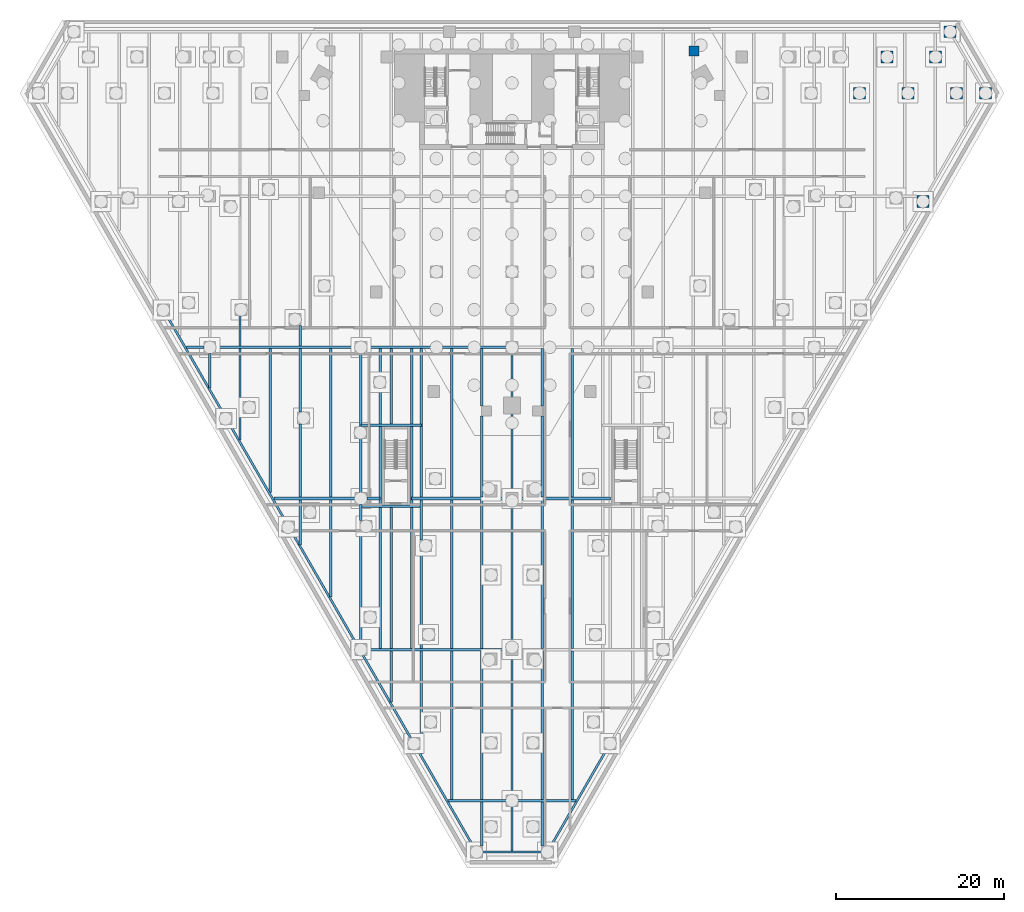
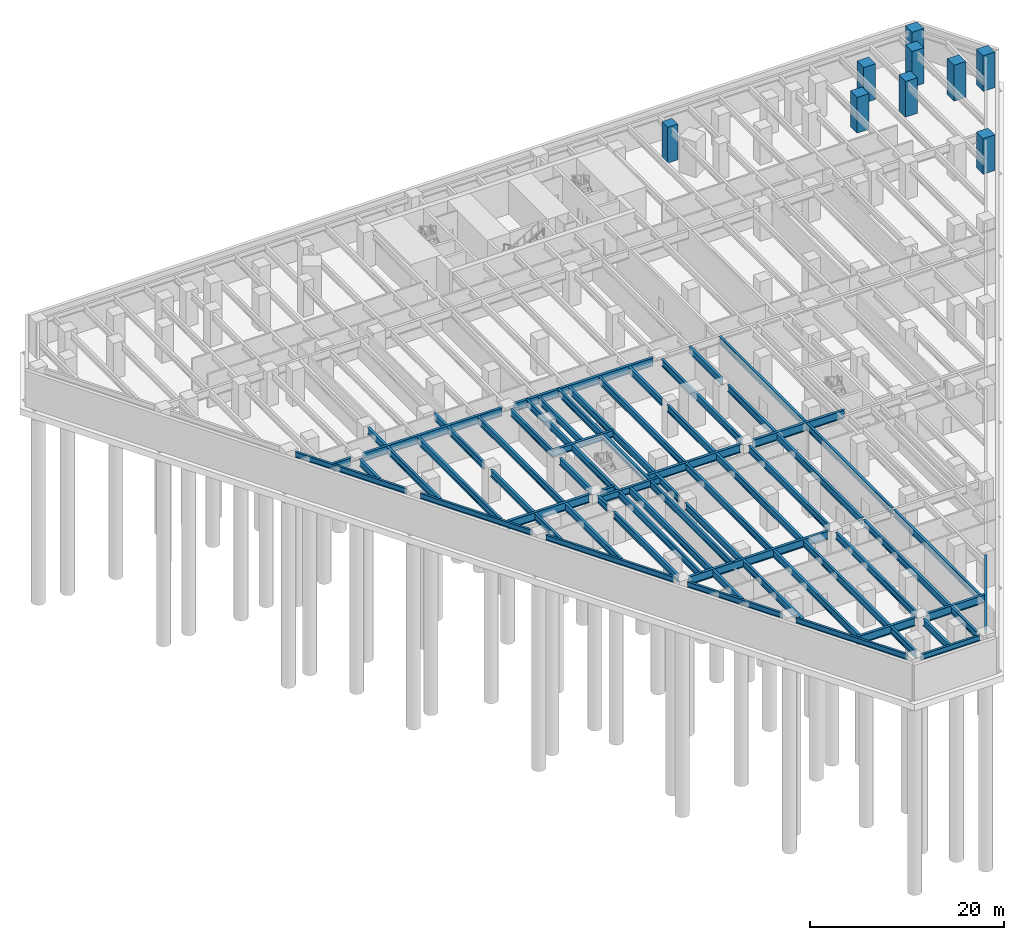
# One storey, part 3 of 18: 62 beams, 9 columns.
"""IFC4 building model written with IfcOpenShell, lengths in metres."""

from ifc_helpers import new_model, si_unit, direction, frame, origin, origin_2d, place, context, subcontext, project, spatial, rectangle, i_section, extrude, material, material_profile, profile_set, type_object, element, save


model = new_model("IFC4")

# Units and contexts
model_context = context("Model", 3, precision=1e-05, world=origin(), true_north=direction((0.0, 1.0)))
body_context = subcontext(model_context, "Body", "Model", "MODEL_VIEW")
ifc_project = project(units=[si_unit("LENGTHUNIT", "METRE"), si_unit("AREAUNIT", "SQUARE_METRE"), si_unit("VOLUMEUNIT", "CUBIC_METRE"), si_unit("PLANEANGLEUNIT", "RADIAN"), si_unit("MASSUNIT", "GRAM", prefix="KILO")], contexts=[model_context])

# Site, building, storey
site_placement = place(None, origin())
site = spatial("IfcSite", under=ifc_project, at=site_placement, CompositionType="ELEMENT")
building_placement = place(site_placement, origin())
building = spatial("IfcBuilding", under=site, at=building_placement, Name="Aloe Facet Convention Tower", CompositionType="ELEMENT")
storey_placement = place(building_placement, frame((0.0, 0.0, -9.0)))
storey = spatial("IfcBuildingStorey", under=building, at=storey_placement, Name="B2", CompositionType="ELEMENT", Elevation=-9.0)

# Columns
ifc_material_1 = material(Name="Concrete C60/75", Category="concrete")
ifc_material_profile_1 = material_profile(ifc_material_1, rectangle(XDim=1.39990234375, YDim=1.39990234375, at=origin_2d()), Name="SF-PC-1400")
ifc_profile_set_1 = profile_set([ifc_material_profile_1], Name="Concrete C60/75")
column_type_1 = type_object("IfcColumnType", Name="SF-PC-1400", PredefinedType="COLUMN", material=ifc_profile_set_1)
for number, where, z_axis, x_axis, name in (
    (1, (121.404052734375, 129.283935546875, 0.0), (0.0, 0.0, 1.0), (1.0, 0.0, 0.0), "Podium column PE-121-129"),
    (2, (124.68603515625, 133.60009765625, 0.0), (0.0, 0.0, 1.0), (1.0, 0.0, 0.0), "Podium column PE-125-134"),
    (3, (127.177001953125, 129.283935546875, 0.0), (0.0, 0.0, 1.0), (1.0, 0.0, 0.0), "Podium column PE-127-129"),
    (4, (128.958984375, 116.3701171875, 0.0), (0.0, 0.0, 1.0), (1.0, 0.0, 0.0), "Podium column PE-129-116"),
    (5, (130.458984375, 133.60009765625, 0.0), (0.0, 0.0, 1.0), (1.0, 0.0, 0.0), "Podium column PE-130-134"),
    (6, (132.19091796875, 136.60009765625, 0.0), (0.0, 0.0, 1.0), (1.0, 0.0, 0.0), "Podium column PE-132-137"),
    (7, (132.950927734375, 129.283935546875, 0.0), (0.0, 0.0, 1.0), (1.0, 0.0, 0.0), "Podium column PE-133-129"),
    (8, (136.4150390625, 129.283935546875, 0.0), (0.0, 0.0, 1.0), (1.0, 0.0, 0.0), "Podium column PE-136-129"),
):
    element("IfcColumn", number, at=place(storey_placement, frame(where, z_axis=z_axis, x_axis=x_axis)), inside=storey, type_object=column_type_1, Name=name, PredefinedType="COLUMN", context=body_context, shape_type="SweptSolid", body=[
        extrude(rectangle(XDim=1.39990234375, YDim=1.39990234375, at=origin_2d()), origin(), (0.0, 0.0, 1.0), 4.5),
    ])
ifc_material_2 = material(Name="Concrete C60/75", Category="concrete")
ifc_material_profile_2 = material_profile(ifc_material_2, rectangle(XDim=1.199951171875, YDim=1.199951171875, at=origin_2d()), Name="SF-PR-1200")
ifc_profile_set_2 = profile_set([ifc_material_profile_2], Name="Concrete C60/75")
column_type_2 = type_object("IfcColumnType", Name="SF-PR-1200", PredefinedType="COLUMN", material=ifc_profile_set_2)
column_placement = place(storey_placement, frame((101.699951171875, 134.300048828125, 0.0), z_axis=(0.0, 0.0, 1.0), x_axis=(1.0, 0.0, 0.0)))
element("IfcColumn", 9, at=column_placement, inside=storey, type_object=column_type_2, Name="Podium column PR-05-102-134", PredefinedType="COLUMN", context=body_context, shape_type="SweptSolid", body=[
    extrude(rectangle(XDim=1.199951171875, YDim=1.199951171875, at=origin_2d()), origin(), (0.0, 0.0, 1.0), 4.5),
])

# Beams
ifc_material_3 = material(Name="Steel S355", Category="steel")
ifc_material_profile_3 = material_profile(ifc_material_3, i_section(OverallWidth=0.305419921875, OverallDepth=1.02587890625, WebThickness=0.02001953125, FlangeThickness=0.031005859375, FilletRadius=0.030029296875, at=origin_2d()), Name="UB 1016x305x349")
ifc_profile_set_3 = profile_set([ifc_material_profile_3], Name="Steel S355")
beam_type_1 = type_object("IfcBeamType", Name="SF-B-UB1016x305x349", PredefinedType="BEAM", material=ifc_profile_set_3)
beam_1_placement = place(storey_placement, frame((41.2265625, 99.0, 3.737060546875), z_axis=(1.0, 0.0, 0.0), x_axis=(0.0, 1.0, 0.0)))
element("IfcBeam", 10, at=beam_1_placement, inside=storey, type_object=beam_type_1, Name="Floor beam FB-B1-024", PredefinedType="BEAM", context=body_context, shape_type="SweptSolid", body=[
    extrude(i_section(OverallWidth=0.305419921875, OverallDepth=1.02587890625, WebThickness=0.02001953125, FlangeThickness=0.031005859375, FilletRadius=0.030029296875, at=origin_2d()), origin(), (0.0, 0.0, 1.0), 2.073486328125),
])
beam_2_placement = place(storey_placement, frame((44.699951171875, 99.0, 3.737060546875), z_axis=(1.0, 0.0, 0.0), x_axis=(0.0, 1.0, 0.0)))
element("IfcBeam", 11, at=beam_2_placement, inside=storey, type_object=beam_type_1, Name="Floor beam FB-B1-025", PredefinedType="BEAM", context=body_context, shape_type="SweptSolid", body=[
    extrude(i_section(OverallWidth=0.305419921875, OverallDepth=1.02587890625, WebThickness=0.02001953125, FlangeThickness=0.031005859375, FilletRadius=0.030029296875, at=origin_2d()), origin(), (0.0, 0.0, 1.0), 16.60009765625),
])
beam_3_placement = place(storey_placement, frame((51.618896484375, 81.0, 3.737060546875), z_axis=(1.0, 0.0, 0.0), x_axis=(0.0, 1.0, 0.0)))
element("IfcBeam", 12, at=beam_3_placement, inside=storey, type_object=beam_type_1, Name="Floor beam FB-B1-027", PredefinedType="BEAM", context=body_context, shape_type="SweptSolid", body=[
    extrude(i_section(OverallWidth=0.305419921875, OverallDepth=1.02587890625, WebThickness=0.02001953125, FlangeThickness=0.031005859375, FilletRadius=0.030029296875, at=origin_2d()), origin(), (0.0, 0.0, 1.0), 9.68115234375),
])
beam_4_placement = place(storey_placement, frame((62.699951171875, 63.0, 3.737060546875), z_axis=(1.0, 0.0, 0.0), x_axis=(0.0, 1.0, 0.0)))
element("IfcBeam", 13, at=beam_4_placement, inside=storey, type_object=beam_type_1, Name="Floor beam FB-B1-029", PredefinedType="BEAM", context=body_context, shape_type="SweptSolid", body=[
    extrude(i_section(OverallWidth=0.305419921875, OverallDepth=1.02587890625, WebThickness=0.02001953125, FlangeThickness=0.031005859375, FilletRadius=0.030029296875, at=origin_2d()), origin(), (0.0, 0.0, 1.0), 16.60009765625),
])
beam_5_placement = place(storey_placement, frame((62.699951171875, 81.0, 3.737060546875), z_axis=(1.0, 0.0, 0.0), x_axis=(0.0, 1.0, 0.0)))
element("IfcBeam", 14, at=beam_5_placement, inside=storey, type_object=beam_type_1, Name="Floor beam FB-B1-030", PredefinedType="BEAM", context=body_context, shape_type="SweptSolid", body=[
    extrude(i_section(OverallWidth=0.305419921875, OverallDepth=1.02587890625, WebThickness=0.02001953125, FlangeThickness=0.031005859375, FilletRadius=0.030029296875, at=origin_2d()), origin(), (0.0, 0.0, 1.0), 1.60009765625),
])
beam_6_placement = place(storey_placement, frame((62.699951171875, 99.0, 3.737060546875), z_axis=(1.0, 0.0, 0.0), x_axis=(0.0, 1.0, 0.0)))
element("IfcBeam", 15, at=beam_6_placement, inside=storey, type_object=beam_type_1, Name="Floor beam FB-B1-031", PredefinedType="BEAM", context=body_context, shape_type="SweptSolid", body=[
    extrude(i_section(OverallWidth=0.305419921875, OverallDepth=1.02587890625, WebThickness=0.02001953125, FlangeThickness=0.031005859375, FilletRadius=0.030029296875, at=origin_2d()), origin(), (0.0, 0.0, 1.0), 16.60009765625),
])
beam_7_placement = place(storey_placement, frame((68.050048828125, 81.0, 3.737060546875), z_axis=(1.0, 0.0, 0.0), x_axis=(0.0, 1.0, 0.0)))
element("IfcBeam", 16, at=beam_7_placement, inside=storey, type_object=beam_type_1, Name="Floor beam FB-B1-032", PredefinedType="BEAM", context=body_context, shape_type="SweptSolid", body=[
    extrude(i_section(OverallWidth=0.305419921875, OverallDepth=1.02587890625, WebThickness=0.02001953125, FlangeThickness=0.031005859375, FilletRadius=0.030029296875, at=origin_2d()), origin(), (0.0, 0.0, 1.0), 11.25),
])
for number, where, z_axis, x_axis, name in (
    (17, (72.4033203125, 45.0, 3.737060546875), (1.0, 0.0, 0.0), (0.0, 1.0, 0.0), "Floor beam FB-B1-033"),
    (18, (80.699951171875, 45.0, 3.737060546875), (1.0, 0.0, 0.0), (0.0, 1.0, 0.0), "Floor beam FB-B1-034"),
):
    element("IfcBeam", number, at=place(storey_placement, frame(where, z_axis=z_axis, x_axis=x_axis)), inside=storey, type_object=beam_type_1, Name=name, PredefinedType="BEAM", context=body_context, shape_type="SweptSolid", body=[
        extrude(i_section(OverallWidth=0.305419921875, OverallDepth=1.02587890625, WebThickness=0.02001953125, FlangeThickness=0.031005859375, FilletRadius=0.030029296875, at=origin_2d()), origin(), (0.0, 0.0, 1.0), 6.896728515625),
    ])
beam_8_placement = place(storey_placement, frame((80.699951171875, 81.0, 3.737060546875), z_axis=(1.0, 0.0, 0.0), x_axis=(0.0, 1.0, 0.0)))
element("IfcBeam", 19, at=beam_8_placement, inside=storey, type_object=beam_type_1, Name="Floor beam FB-B1-036", PredefinedType="BEAM", context=body_context, shape_type="SweptSolid", body=[
    extrude(i_section(OverallWidth=0.305419921875, OverallDepth=1.02587890625, WebThickness=0.02001953125, FlangeThickness=0.031005859375, FilletRadius=0.030029296875, at=origin_2d()), origin(), (0.0, 0.0, 1.0), 11.025146484375),
])
ifc_material_4 = material(Name="Steel S355", Category="steel")
ifc_material_profile_4 = material_profile(ifc_material_4, i_section(OverallWidth=0.25439453125, OverallDepth=0.6875, WebThickness=0.01318359375, FlangeThickness=0.02099609375, FilletRadius=0.01513671875, at=origin_2d()), Name="UB 686x254x152")
ifc_profile_set_4 = profile_set([ifc_material_profile_4], Name="Steel S355")
beam_type_2 = type_object("IfcBeamType", Name="SF-B-UB686x254x152", PredefinedType="BEAM", material=ifc_profile_set_4)
for number, where, z_axis, x_axis, name in (
    (20, (45.548583984375, 91.241943359375, 3.90625), (-0.500000090957, 0.86602535127, 0.0), (-0.86602535127, -0.500000090957, 0.0), "Floor beam FB-B1-005"),
    (21, (53.004638671875, 78.327880859375, 3.90625), (-0.500000090957, 0.86602535127, 0.0), (-0.86602535127, -0.500000090957, 0.0), "Floor beam FB-B1-006"),
):
    element("IfcBeam", number, at=place(storey_placement, frame(where, z_axis=z_axis, x_axis=x_axis)), inside=storey, type_object=beam_type_2, Name=name, PredefinedType="BEAM", context=body_context, shape_type="SweptSolid", body=[
        extrude(i_section(OverallWidth=0.25439453125, OverallDepth=0.6875, WebThickness=0.01318359375, FlangeThickness=0.02099609375, FilletRadius=0.01513671875, at=origin_2d()), origin(), (0.0, 0.0, 1.0), 13.29541015625),
    ])
beam_9_placement = place(storey_placement, frame((61.449951171875, 63.699951171875, 3.90625), z_axis=(-0.499988104614, 0.86603227148, 0.0), x_axis=(-0.86603227148, -0.499988104614, 0.0)))
element("IfcBeam", 22, at=beam_9_placement, inside=storey, type_object=beam_type_2, Name="Floor beam FB-B1-007", PredefinedType="BEAM", context=body_context, shape_type="SweptSolid", body=[
    extrude(i_section(OverallWidth=0.25439453125, OverallDepth=0.6875, WebThickness=0.01318359375, FlangeThickness=0.02099609375, FilletRadius=0.01513671875, at=origin_2d()), origin(), (0.0, 0.0, 1.0), 15.274169921875),
])
beam_10_placement = place(storey_placement, frame((67.91650390625, 52.5, 3.90625), z_axis=(-0.500009430881, 0.866019958794, 0.0), x_axis=(-0.866019958794, -0.500009430881, 0.0)))
element("IfcBeam", 23, at=beam_10_placement, inside=storey, type_object=beam_type_2, Name="Floor beam FB-B1-008", PredefinedType="BEAM", context=body_context, shape_type="SweptSolid", body=[
    extrude(i_section(OverallWidth=0.25439453125, OverallDepth=0.6875, WebThickness=0.01318359375, FlangeThickness=0.02099609375, FilletRadius=0.01513671875, at=origin_2d()), origin(), (0.0, 0.0, 1.0), 11.316162109375),
])
beam_11_placement = place(storey_placement, frame((75.372314453125, 39.5859375, 3.90625), z_axis=(-0.500000090957, 0.86602535127, 0.0), x_axis=(-0.86602535127, -0.500000090957, 0.0)))
element("IfcBeam", 24, at=beam_11_placement, inside=storey, type_object=beam_type_2, Name="Floor beam FB-B1-010", PredefinedType="BEAM", context=body_context, shape_type="SweptSolid", body=[
    extrude(i_section(OverallWidth=0.25439453125, OverallDepth=0.6875, WebThickness=0.01318359375, FlangeThickness=0.02099609375, FilletRadius=0.01513671875, at=origin_2d()), origin(), (0.0, 0.0, 1.0), 13.29541015625),
])
beam_12_placement = place(storey_placement, frame((83.52392578125, 38.88623046875, 3.90625), z_axis=(-1.0, 0.0, 0.0), x_axis=(0.0, -1.0, 0.0)))
element("IfcBeam", 25, at=beam_12_placement, inside=storey, type_object=beam_type_2, Name="Floor beam FB-B1-011", PredefinedType="BEAM", context=body_context, shape_type="SweptSolid", body=[
    extrude(i_section(OverallWidth=0.25439453125, OverallDepth=0.6875, WebThickness=0.01318359375, FlangeThickness=0.02099609375, FilletRadius=0.01513671875, at=origin_2d()), origin(), (0.0, 0.0, 1.0), 7.0478515625),
])
beam_13_placement = place(storey_placement, frame((91.275390625, 51.10009765625, 3.90625), z_axis=(-0.500000090957, -0.86602535127, 0.0), x_axis=(0.86602535127, -0.500000090957, 0.0)))
element("IfcBeam", 26, at=beam_13_placement, inside=storey, type_object=beam_type_2, Name="Floor beam FB-B1-013", PredefinedType="BEAM", context=body_context, shape_type="SweptSolid", body=[
    extrude(i_section(OverallWidth=0.25439453125, OverallDepth=0.6875, WebThickness=0.01318359375, FlangeThickness=0.02099609375, FilletRadius=0.01513671875, at=origin_2d()), origin(), (0.0, 0.0, 1.0), 13.29541015625),
])
ifc_material_5 = material(Name="Steel S355", Category="steel")
ifc_material_profile_5 = material_profile(ifc_material_5, i_section(OverallWidth=0.293701171875, OverallDepth=0.850830078125, WebThickness=0.01611328125, FlangeThickness=0.02685546875, FilletRadius=0.017822265625, at=origin_2d()), Name="UB 838x292x226")
ifc_profile_set_5 = profile_set([ifc_material_profile_5], Name="Steel S355")
beam_type_3 = type_object("IfcBeamType", Name="SF-B-UB838x292x226", PredefinedType="BEAM", material=ifc_profile_set_5)
beam_14_placement = place(storey_placement, frame((44.0, 94.18896484375, 3.82470703125), z_axis=(0.0, 1.0, 0.0), x_axis=(-1.0, 0.0, 0.0)))
element("IfcBeam", 27, at=beam_14_placement, inside=storey, type_object=beam_type_3, Name="Floor beam FB-B1-058", PredefinedType="BEAM", context=body_context, shape_type="SweptSolid", body=[
    extrude(i_section(OverallWidth=0.293701171875, OverallDepth=0.850830078125, WebThickness=0.01611328125, FlangeThickness=0.02685546875, FilletRadius=0.017822265625, at=origin_2d()), origin(), (0.0, 0.0, 1.0), 4.111083984375),
])
beam_15_placement = place(storey_placement, frame((47.60009765625, 87.95361328125, 3.82470703125), z_axis=(0.0, 1.0, 0.0), x_axis=(-1.0, 0.0, 0.0)))
element("IfcBeam", 28, at=beam_15_placement, inside=storey, type_object=beam_type_3, Name="Floor beam FB-B1-063", PredefinedType="BEAM", context=body_context, shape_type="SweptSolid", body=[
    extrude(i_section(OverallWidth=0.293701171875, OverallDepth=0.850830078125, WebThickness=0.01611328125, FlangeThickness=0.02685546875, FilletRadius=0.017822265625, at=origin_2d()), origin(), (0.0, 0.0, 1.0), 10.893798828125),
])
beam_16_placement = place(storey_placement, frame((47.60009765625, 99.152587890625, 3.82470703125), z_axis=(0.0, 1.0, 0.0), x_axis=(-1.0, 0.0, 0.0)))
element("IfcBeam", 29, at=beam_16_placement, inside=storey, type_object=beam_type_3, Name="Floor beam FB-B1-064", PredefinedType="BEAM", context=body_context, shape_type="SweptSolid", body=[
    extrude(i_section(OverallWidth=0.293701171875, OverallDepth=0.850830078125, WebThickness=0.01611328125, FlangeThickness=0.02685546875, FilletRadius=0.017822265625, at=origin_2d()), origin(), (0.0, 0.0, 1.0), 3.63232421875),
])
beam_17_placement = place(storey_placement, frame((51.199951171875, 81.718017578125, 3.82470703125), z_axis=(0.0, 1.0, 0.0), x_axis=(-1.0, 0.0, 0.0)))
element("IfcBeam", 30, at=beam_17_placement, inside=storey, type_object=beam_type_3, Name="Floor beam FB-B1-067", PredefinedType="BEAM", context=body_context, shape_type="SweptSolid", body=[
    extrude(i_section(OverallWidth=0.293701171875, OverallDepth=0.850830078125, WebThickness=0.01611328125, FlangeThickness=0.02685546875, FilletRadius=0.017822265625, at=origin_2d()), origin(), (0.0, 0.0, 1.0), 17.12939453125),
])
beam_18_placement = place(storey_placement, frame((54.800048828125, 75.482666015625, 3.82470703125), z_axis=(0.0, 1.0, 0.0), x_axis=(-1.0, 0.0, 0.0)))
element("IfcBeam", 31, at=beam_18_placement, inside=storey, type_object=beam_type_3, Name="Floor beam FB-B1-070", PredefinedType="BEAM", context=body_context, shape_type="SweptSolid", body=[
    extrude(i_section(OverallWidth=0.293701171875, OverallDepth=0.850830078125, WebThickness=0.01611328125, FlangeThickness=0.02685546875, FilletRadius=0.017822265625, at=origin_2d()), origin(), (0.0, 0.0, 1.0), 5.36474609375),
])
beam_19_placement = place(storey_placement, frame((54.800048828125, 81.152587890625, 3.82470703125), z_axis=(0.0, 1.0, 0.0), x_axis=(-1.0, 0.0, 0.0)))
element("IfcBeam", 32, at=beam_19_placement, inside=storey, type_object=beam_type_3, Name="Floor beam FB-B1-071", PredefinedType="BEAM", context=body_context, shape_type="SweptSolid", body=[
    extrude(i_section(OverallWidth=0.293701171875, OverallDepth=0.850830078125, WebThickness=0.01611328125, FlangeThickness=0.02685546875, FilletRadius=0.017822265625, at=origin_2d()), origin(), (0.0, 0.0, 1.0), 8.732421875),
])
beam_20_placement = place(storey_placement, frame((54.800048828125, 91.284912109375, 3.82470703125), z_axis=(0.0, 1.0, 0.0), x_axis=(-1.0, 0.0, 0.0)))
element("IfcBeam", 33, at=beam_20_placement, inside=storey, type_object=beam_type_3, Name="Floor beam FB-B1-072", PredefinedType="BEAM", context=body_context, shape_type="SweptSolid", body=[
    extrude(i_section(OverallWidth=0.293701171875, OverallDepth=0.850830078125, WebThickness=0.01611328125, FlangeThickness=0.02685546875, FilletRadius=0.017822265625, at=origin_2d()), origin(), (0.0, 0.0, 1.0), 7.5625),
])
beam_21_placement = place(storey_placement, frame((54.800048828125, 99.152587890625, 3.82470703125), z_axis=(0.0, 1.0, 0.0), x_axis=(-1.0, 0.0, 0.0)))
element("IfcBeam", 34, at=beam_21_placement, inside=storey, type_object=beam_type_3, Name="Floor beam FB-B1-073", PredefinedType="BEAM", context=body_context, shape_type="SweptSolid", body=[
    extrude(i_section(OverallWidth=0.293701171875, OverallDepth=0.850830078125, WebThickness=0.01611328125, FlangeThickness=0.02685546875, FilletRadius=0.017822265625, at=origin_2d()), origin(), (0.0, 0.0, 1.0), 2.472412109375),
])
beam_22_placement = place(storey_placement, frame((58.39990234375, 69.247314453125, 3.82470703125), z_axis=(0.0, 1.0, 0.0), x_axis=(-1.0, 0.0, 0.0)))
element("IfcBeam", 35, at=beam_22_placement, inside=storey, type_object=beam_type_3, Name="Floor beam FB-B1-077", PredefinedType="BEAM", context=body_context, shape_type="SweptSolid", body=[
    extrude(i_section(OverallWidth=0.293701171875, OverallDepth=0.850830078125, WebThickness=0.01611328125, FlangeThickness=0.02685546875, FilletRadius=0.017822265625, at=origin_2d()), origin(), (0.0, 0.0, 1.0), 11.60009765625),
])
beam_23_placement = place(storey_placement, frame((58.39990234375, 81.152587890625, 3.82470703125), z_axis=(0.0, 1.0, 0.0), x_axis=(-1.0, 0.0, 0.0)))
element("IfcBeam", 36, at=beam_23_placement, inside=storey, type_object=beam_type_3, Name="Floor beam FB-B1-078", PredefinedType="BEAM", context=body_context, shape_type="SweptSolid", body=[
    extrude(i_section(OverallWidth=0.293701171875, OverallDepth=0.850830078125, WebThickness=0.01611328125, FlangeThickness=0.02685546875, FilletRadius=0.017822265625, at=origin_2d()), origin(), (0.0, 0.0, 1.0), 17.69482421875),
])
beam_24_placement = place(storey_placement, frame((62.0, 63.699951171875, 3.82470703125), z_axis=(0.0, 1.0, 0.0), x_axis=(-1.0, 0.0, 0.0)))
element("IfcBeam", 37, at=beam_24_placement, inside=storey, type_object=beam_type_3, Name="Floor beam FB-B1-082", PredefinedType="BEAM", context=body_context, shape_type="SweptSolid", body=[
    extrude(i_section(OverallWidth=0.293701171875, OverallDepth=0.850830078125, WebThickness=0.01611328125, FlangeThickness=0.02685546875, FilletRadius=0.017822265625, at=origin_2d()), origin(), (0.0, 0.0, 1.0), 13.2861328125),
])
beam_25_placement = place(storey_placement, frame((62.0, 78.385986328125, 3.82470703125), z_axis=(0.0, 1.0, 0.0), x_axis=(-1.0, 0.0, 0.0)))
element("IfcBeam", 38, at=beam_25_placement, inside=storey, type_object=beam_type_3, Name="Floor beam FB-B1-083", PredefinedType="BEAM", context=body_context, shape_type="SweptSolid", body=[
    extrude(i_section(OverallWidth=0.293701171875, OverallDepth=0.850830078125, WebThickness=0.01611328125, FlangeThickness=0.02685546875, FilletRadius=0.017822265625, at=origin_2d()), origin(), (0.0, 0.0, 1.0), 1.9140625),
])
beam_26_placement = place(storey_placement, frame((62.0, 80.050048828125, 3.82470703125), z_axis=(1.0, 0.0, 0.0), x_axis=(0.0, 1.0, 0.0)))
element("IfcBeam", 39, at=beam_26_placement, inside=storey, type_object=beam_type_3, Name="Floor beam FB-B1-084", PredefinedType="BEAM", context=body_context, shape_type="SweptSolid", body=[
    extrude(i_section(OverallWidth=0.293701171875, OverallDepth=0.850830078125, WebThickness=0.01611328125, FlangeThickness=0.02685546875, FilletRadius=0.017822265625, at=origin_2d()), origin(), (0.0, 0.0, 1.0), 7.199951171875),
])
beam_27_placement = place(storey_placement, frame((62.0, 81.699951171875, 3.82470703125), z_axis=(0.0, 1.0, 0.0), x_axis=(-1.0, 0.0, 0.0)))
element("IfcBeam", 40, at=beam_27_placement, inside=storey, type_object=beam_type_3, Name="Floor beam FB-B1-085", PredefinedType="BEAM", context=body_context, shape_type="SweptSolid", body=[
    extrude(i_section(OverallWidth=0.293701171875, OverallDepth=0.850830078125, WebThickness=0.01611328125, FlangeThickness=0.02685546875, FilletRadius=0.017822265625, at=origin_2d()), origin(), (0.0, 0.0, 1.0), 6.445068359375),
])
beam_28_placement = place(storey_placement, frame((62.0, 89.544921875, 3.82470703125), z_axis=(0.0, 1.0, 0.0), x_axis=(-1.0, 0.0, 0.0)))
element("IfcBeam", 41, at=beam_28_placement, inside=storey, type_object=beam_type_3, Name="Floor beam FB-B1-086", PredefinedType="BEAM", context=body_context, shape_type="SweptSolid", body=[
    extrude(i_section(OverallWidth=0.293701171875, OverallDepth=0.850830078125, WebThickness=0.01611328125, FlangeThickness=0.02685546875, FilletRadius=0.017822265625, at=origin_2d()), origin(), (0.0, 0.0, 1.0), 8.755126953125),
])
beam_29_placement = place(storey_placement, frame((62.0, 89.75, 3.82470703125), z_axis=(1.0, 0.0, 0.0), x_axis=(0.0, 1.0, 0.0)))
element("IfcBeam", 42, at=beam_29_placement, inside=storey, type_object=beam_type_3, Name="Floor beam FB-B1-087", PredefinedType="BEAM", context=body_context, shape_type="SweptSolid", body=[
    extrude(i_section(OverallWidth=0.293701171875, OverallDepth=0.850830078125, WebThickness=0.01611328125, FlangeThickness=0.02685546875, FilletRadius=0.017822265625, at=origin_2d()), origin(), (0.0, 0.0, 1.0), 7.199951171875),
])
beam_30_placement = place(storey_placement, frame((64.300048828125, 63.0, 3.82470703125), z_axis=(0.0, 1.0, 0.0), x_axis=(-1.0, 0.0, 0.0)))
element("IfcBeam", 43, at=beam_30_placement, inside=storey, type_object=beam_type_3, Name="Floor beam FB-B1-090", PredefinedType="BEAM", context=body_context, shape_type="SweptSolid", body=[
    extrude(i_section(OverallWidth=0.293701171875, OverallDepth=0.850830078125, WebThickness=0.01611328125, FlangeThickness=0.02685546875, FilletRadius=0.017822265625, at=origin_2d()), origin(), (0.0, 0.0, 1.0), 36.0),
])
beam_31_placement = place(storey_placement, frame((65.60009765625, 56.776611328125, 3.82470703125), z_axis=(0.0, 1.0, 0.0), x_axis=(-1.0, 0.0, 0.0)))
element("IfcBeam", 44, at=beam_31_placement, inside=storey, type_object=beam_type_3, Name="Floor beam FB-B1-091", PredefinedType="BEAM", context=body_context, shape_type="SweptSolid", body=[
    extrude(i_section(OverallWidth=0.293701171875, OverallDepth=0.850830078125, WebThickness=0.01611328125, FlangeThickness=0.02685546875, FilletRadius=0.017822265625, at=origin_2d()), origin(), (0.0, 0.0, 1.0), 6.07080078125),
])
beam_32_placement = place(storey_placement, frame((65.60009765625, 63.152587890625, 3.82470703125), z_axis=(0.0, 1.0, 0.0), x_axis=(-1.0, 0.0, 0.0)))
element("IfcBeam", 45, at=beam_32_placement, inside=storey, type_object=beam_type_3, Name="Floor beam FB-B1-092", PredefinedType="BEAM", context=body_context, shape_type="SweptSolid", body=[
    extrude(i_section(OverallWidth=0.293701171875, OverallDepth=0.850830078125, WebThickness=0.01611328125, FlangeThickness=0.02685546875, FilletRadius=0.017822265625, at=origin_2d()), origin(), (0.0, 0.0, 1.0), 16.8974609375),
])
beam_33_placement = place(storey_placement, frame((65.60009765625, 89.75, 3.82470703125), z_axis=(0.0, 1.0, 0.0), x_axis=(-1.0, 0.0, 0.0)))
element("IfcBeam", 46, at=beam_33_placement, inside=storey, type_object=beam_type_3, Name="Floor beam FB-B1-093", PredefinedType="BEAM", context=body_context, shape_type="SweptSolid", body=[
    extrude(i_section(OverallWidth=0.293701171875, OverallDepth=0.850830078125, WebThickness=0.01611328125, FlangeThickness=0.02685546875, FilletRadius=0.017822265625, at=origin_2d()), origin(), (0.0, 0.0, 1.0), 9.097412109375),
])
beam_34_placement = place(storey_placement, frame((68.050048828125, 63.0, 3.82470703125), z_axis=(0.0, 1.0, 0.0), x_axis=(-1.0, 0.0, 0.0)))
element("IfcBeam", 47, at=beam_34_placement, inside=storey, type_object=beam_type_3, Name="Floor beam FB-B1-097", PredefinedType="BEAM", context=body_context, shape_type="SweptSolid", body=[
    extrude(i_section(OverallWidth=0.293701171875, OverallDepth=0.850830078125, WebThickness=0.01611328125, FlangeThickness=0.02685546875, FilletRadius=0.017822265625, at=origin_2d()), origin(), (0.0, 0.0, 1.0), 36.0),
])
beam_35_placement = place(storey_placement, frame((69.199951171875, 50.541259765625, 3.82470703125), z_axis=(0.0, 1.0, 0.0), x_axis=(-1.0, 0.0, 0.0)))
element("IfcBeam", 48, at=beam_35_placement, inside=storey, type_object=beam_type_3, Name="Floor beam FB-B1-098", PredefinedType="BEAM", context=body_context, shape_type="SweptSolid", body=[
    extrude(i_section(OverallWidth=0.293701171875, OverallDepth=0.850830078125, WebThickness=0.01611328125, FlangeThickness=0.02685546875, FilletRadius=0.017822265625, at=origin_2d()), origin(), (0.0, 0.0, 1.0), 12.30615234375),
])
beam_36_placement = place(storey_placement, frame((69.199951171875, 63.152587890625, 3.82470703125), z_axis=(0.0, 1.0, 0.0), x_axis=(-1.0, 0.0, 0.0)))
element("IfcBeam", 49, at=beam_36_placement, inside=storey, type_object=beam_type_3, Name="Floor beam FB-B1-099", PredefinedType="BEAM", context=body_context, shape_type="SweptSolid", body=[
    extrude(i_section(OverallWidth=0.293701171875, OverallDepth=0.850830078125, WebThickness=0.01611328125, FlangeThickness=0.02685546875, FilletRadius=0.017822265625, at=origin_2d()), origin(), (0.0, 0.0, 1.0), 11.513427734375),
])
beam_37_placement = place(storey_placement, frame((69.199951171875, 76.06591796875, 3.82470703125), z_axis=(0.0, 1.0, 0.0), x_axis=(-1.0, 0.0, 0.0)))
element("IfcBeam", 50, at=beam_37_placement, inside=storey, type_object=beam_type_3, Name="Floor beam FB-B1-100", PredefinedType="BEAM", context=body_context, shape_type="SweptSolid", body=[
    extrude(i_section(OverallWidth=0.293701171875, OverallDepth=0.850830078125, WebThickness=0.01611328125, FlangeThickness=0.02685546875, FilletRadius=0.017822265625, at=origin_2d()), origin(), (0.0, 0.0, 1.0), 4.781494140625),
])
for number, where, z_axis, x_axis, name in (
    (51, (69.199951171875, 81.152587890625, 3.82470703125), (0.0, 1.0, 0.0), (-1.0, 0.0, 0.0), "Floor beam FB-B1-101"),
    (52, (72.800048828125, 45.152587890625, 3.82470703125), (0.0, 1.0, 0.0), (-1.0, 0.0, 0.0), "Floor beam FB-B1-105"),
    (53, (72.800048828125, 63.152587890625, 3.82470703125), (0.0, 1.0, 0.0), (-1.0, 0.0, 0.0), "Floor beam FB-B1-106"),
    (54, (72.800048828125, 81.152587890625, 3.82470703125), (0.0, 1.0, 0.0), (-1.0, 0.0, 0.0), "Floor beam FB-B1-107"),
):
    element("IfcBeam", number, at=place(storey_placement, frame(where, z_axis=z_axis, x_axis=x_axis)), inside=storey, type_object=beam_type_3, Name=name, PredefinedType="BEAM", context=body_context, shape_type="SweptSolid", body=[
        extrude(i_section(OverallWidth=0.293701171875, OverallDepth=0.850830078125, WebThickness=0.01611328125, FlangeThickness=0.02685546875, FilletRadius=0.017822265625, at=origin_2d()), origin(), (0.0, 0.0, 1.0), 17.69482421875),
    ])
beam_38_placement = place(storey_placement, frame((76.39990234375, 39.5859375, 3.82470703125), z_axis=(0.0, 1.0, 0.0), x_axis=(-1.0, 0.0, 0.0)))
element("IfcBeam", 55, at=beam_38_placement, inside=storey, type_object=beam_type_3, Name="Floor beam FB-B1-111", PredefinedType="BEAM", context=body_context, shape_type="SweptSolid", body=[
    extrude(i_section(OverallWidth=0.293701171875, OverallDepth=0.850830078125, WebThickness=0.01611328125, FlangeThickness=0.02685546875, FilletRadius=0.017822265625, at=origin_2d()), origin(), (0.0, 0.0, 1.0), 5.261474609375),
])
for number, where, z_axis, x_axis, name in (
    (56, (76.39990234375, 45.152587890625, 3.82470703125), (0.0, 1.0, 0.0), (-1.0, 0.0, 0.0), "Floor beam FB-B1-112"),
    (57, (76.39990234375, 63.152587890625, 3.82470703125), (0.0, 1.0, 0.0), (-1.0, 0.0, 0.0), "Floor beam FB-B1-113"),
):
    element("IfcBeam", number, at=place(storey_placement, frame(where, z_axis=z_axis, x_axis=x_axis)), inside=storey, type_object=beam_type_3, Name=name, PredefinedType="BEAM", context=body_context, shape_type="SweptSolid", body=[
        extrude(i_section(OverallWidth=0.293701171875, OverallDepth=0.850830078125, WebThickness=0.01611328125, FlangeThickness=0.02685546875, FilletRadius=0.017822265625, at=origin_2d()), origin(), (0.0, 0.0, 1.0), 17.69482421875),
    ])
beam_39_placement = place(storey_placement, frame((76.39990234375, 81.152587890625, 3.82470703125), z_axis=(0.0, 1.0, 0.0), x_axis=(-1.0, 0.0, 0.0)))
element("IfcBeam", 58, at=beam_39_placement, inside=storey, type_object=beam_type_3, Name="Floor beam FB-B1-114", PredefinedType="BEAM", context=body_context, shape_type="SweptSolid", body=[
    extrude(i_section(OverallWidth=0.293701171875, OverallDepth=0.850830078125, WebThickness=0.01611328125, FlangeThickness=0.02685546875, FilletRadius=0.017822265625, at=origin_2d()), origin(), (0.0, 0.0, 1.0), 9.68994140625),
])
beam_40_placement = place(storey_placement, frame((76.39990234375, 92.04248046875, 3.82470703125), z_axis=(0.0, 1.0, 0.0), x_axis=(-1.0, 0.0, 0.0)))
element("IfcBeam", 59, at=beam_40_placement, inside=storey, type_object=beam_type_3, Name="Floor beam FB-B1-115", PredefinedType="BEAM", context=body_context, shape_type="SweptSolid", body=[
    extrude(i_section(OverallWidth=0.293701171875, OverallDepth=0.850830078125, WebThickness=0.01611328125, FlangeThickness=0.02685546875, FilletRadius=0.017822265625, at=origin_2d()), origin(), (0.0, 0.0, 1.0), 6.804931640625),
])
beam_41_placement = place(storey_placement, frame((80.0, 39.0234375, 3.82470703125), z_axis=(0.0, 1.0, 0.0), x_axis=(-1.0, 0.0, 0.0)))
element("IfcBeam", 60, at=beam_41_placement, inside=storey, type_object=beam_type_3, Name="Floor beam FB-B1-119", PredefinedType="BEAM", context=body_context, shape_type="SweptSolid", body=[
    extrude(i_section(OverallWidth=0.293701171875, OverallDepth=0.850830078125, WebThickness=0.01611328125, FlangeThickness=0.02685546875, FilletRadius=0.017822265625, at=origin_2d()), origin(), (0.0, 0.0, 1.0), 5.276611328125),
])
for number, where, z_axis, x_axis, name in (
    (61, (80.0, 45.699951171875, 3.82470703125), (0.0, 1.0, 0.0), (-1.0, 0.0, 0.0), "Floor beam FB-B1-120"),
    (62, (80.0, 63.699951171875, 3.82470703125), (0.0, 1.0, 0.0), (-1.0, 0.0, 0.0), "Floor beam FB-B1-121"),
    (63, (80.0, 81.699951171875, 3.82470703125), (0.0, 1.0, 0.0), (-1.0, 0.0, 0.0), "Floor beam FB-B1-122"),
):
    element("IfcBeam", number, at=place(storey_placement, frame(where, z_axis=z_axis, x_axis=x_axis)), inside=storey, type_object=beam_type_3, Name=name, PredefinedType="BEAM", context=body_context, shape_type="SweptSolid", body=[
        extrude(i_section(OverallWidth=0.293701171875, OverallDepth=0.850830078125, WebThickness=0.01611328125, FlangeThickness=0.02685546875, FilletRadius=0.017822265625, at=origin_2d()), origin(), (0.0, 0.0, 1.0), 16.60009765625),
    ])
beam_42_placement = place(storey_placement, frame((83.60009765625, 39.5859375, 3.82470703125), z_axis=(0.0, 1.0, 0.0), x_axis=(-1.0, 0.0, 0.0)))
element("IfcBeam", 64, at=beam_42_placement, inside=storey, type_object=beam_type_3, Name="Floor beam FB-B1-127", PredefinedType="BEAM", context=body_context, shape_type="SweptSolid", body=[
    extrude(i_section(OverallWidth=0.293701171875, OverallDepth=0.850830078125, WebThickness=0.01611328125, FlangeThickness=0.02685546875, FilletRadius=0.017822265625, at=origin_2d()), origin(), (0.0, 0.0, 1.0), 5.261474609375),
])
for number, where, z_axis, x_axis, name in (
    (65, (83.60009765625, 45.152587890625, 3.82470703125), (0.0, 1.0, 0.0), (-1.0, 0.0, 0.0), "Floor beam FB-B1-128"),
    (66, (83.60009765625, 63.152587890625, 3.82470703125), (0.0, 1.0, 0.0), (-1.0, 0.0, 0.0), "Floor beam FB-B1-129"),
):
    element("IfcBeam", number, at=place(storey_placement, frame(where, z_axis=z_axis, x_axis=x_axis)), inside=storey, type_object=beam_type_3, Name=name, PredefinedType="BEAM", context=body_context, shape_type="SweptSolid", body=[
        extrude(i_section(OverallWidth=0.293701171875, OverallDepth=0.850830078125, WebThickness=0.01611328125, FlangeThickness=0.02685546875, FilletRadius=0.017822265625, at=origin_2d()), origin(), (0.0, 0.0, 1.0), 17.69482421875),
    ])
beam_43_placement = place(storey_placement, frame((83.60009765625, 81.152587890625, 3.82470703125), z_axis=(0.0, 1.0, 0.0), x_axis=(-1.0, 0.0, 0.0)))
element("IfcBeam", 67, at=beam_43_placement, inside=storey, type_object=beam_type_3, Name="Floor beam FB-B1-130", PredefinedType="BEAM", context=body_context, shape_type="SweptSolid", body=[
    extrude(i_section(OverallWidth=0.293701171875, OverallDepth=0.850830078125, WebThickness=0.01611328125, FlangeThickness=0.02685546875, FilletRadius=0.017822265625, at=origin_2d()), origin(), (0.0, 0.0, 1.0), 9.68994140625),
])
beam_44_placement = place(storey_placement, frame((83.60009765625, 92.04248046875, 3.82470703125), z_axis=(0.0, 1.0, 0.0), x_axis=(-1.0, 0.0, 0.0)))
element("IfcBeam", 68, at=beam_44_placement, inside=storey, type_object=beam_type_3, Name="Floor beam FB-B1-131", PredefinedType="BEAM", context=body_context, shape_type="SweptSolid", body=[
    extrude(i_section(OverallWidth=0.293701171875, OverallDepth=0.850830078125, WebThickness=0.01611328125, FlangeThickness=0.02685546875, FilletRadius=0.017822265625, at=origin_2d()), origin(), (0.0, 0.0, 1.0), 6.804931640625),
])
for number, where, z_axis, x_axis, name in (
    (69, (87.199951171875, 45.152587890625, 3.82470703125), (0.0, 1.0, 0.0), (-1.0, 0.0, 0.0), "Floor beam FB-B1-135"),
    (70, (87.199951171875, 63.152587890625, 3.82470703125), (0.0, 1.0, 0.0), (-1.0, 0.0, 0.0), "Floor beam FB-B1-136"),
    (71, (87.199951171875, 81.152587890625, 3.82470703125), (0.0, 1.0, 0.0), (-1.0, 0.0, 0.0), "Floor beam FB-B1-137"),
):
    element("IfcBeam", number, at=place(storey_placement, frame(where, z_axis=z_axis, x_axis=x_axis)), inside=storey, type_object=beam_type_3, Name=name, PredefinedType="BEAM", context=body_context, shape_type="SweptSolid", body=[
        extrude(i_section(OverallWidth=0.293701171875, OverallDepth=0.850830078125, WebThickness=0.01611328125, FlangeThickness=0.02685546875, FilletRadius=0.017822265625, at=origin_2d()), origin(), (0.0, 0.0, 1.0), 17.69482421875),
    ])

save(model, "model.ifc")
